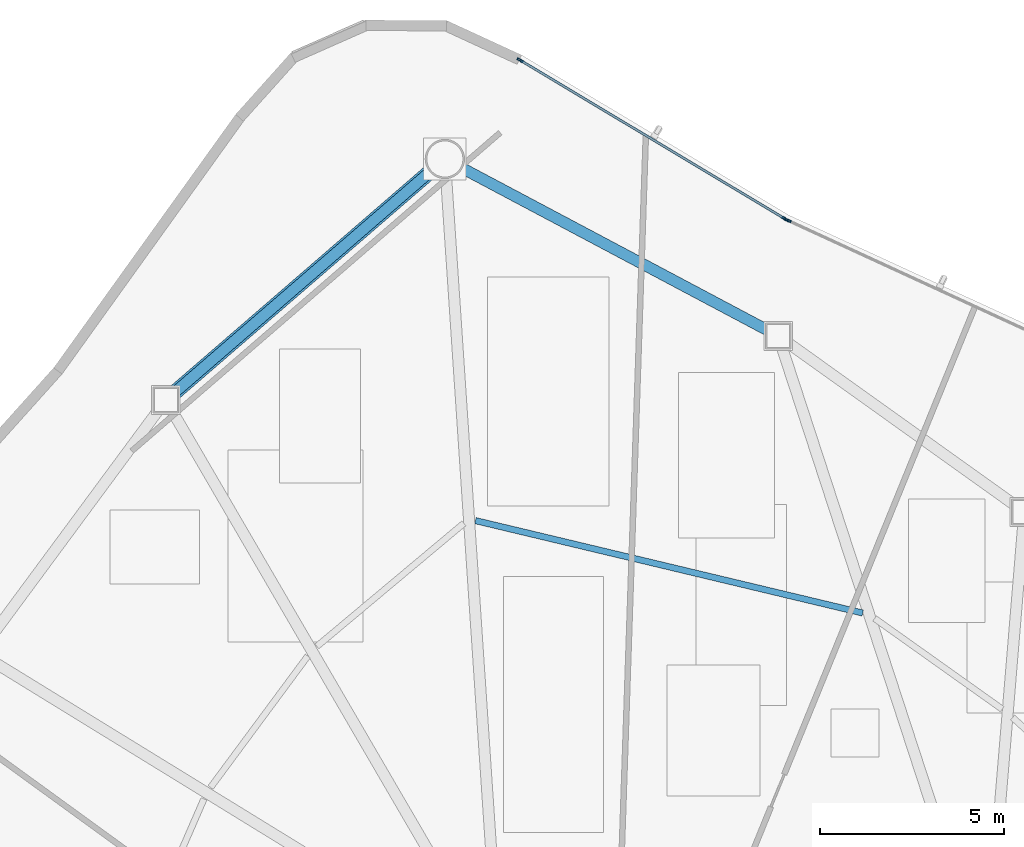
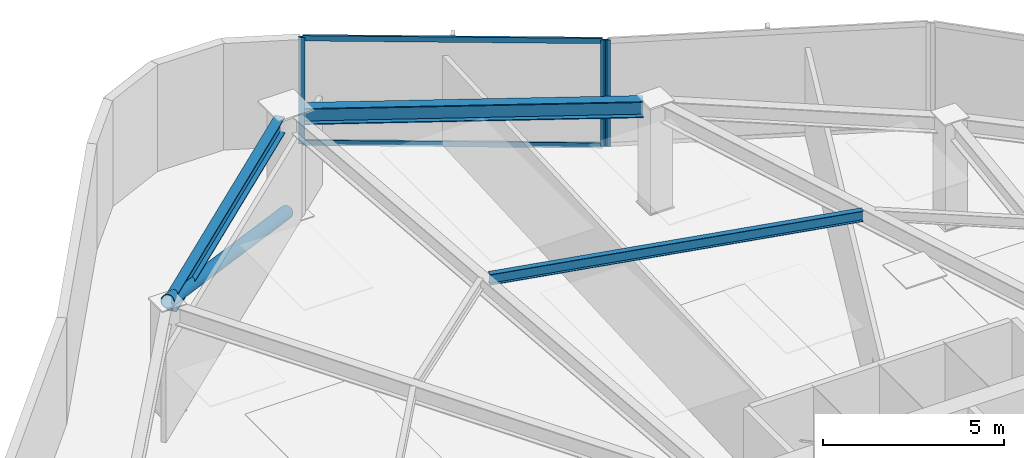
# One storey, part 8 of 17: 6 members, 3 beams, 2 elements without a shape of their own.
"""IFC4 building model written with IfcOpenShell, lengths in metres."""

from ifc_helpers import new_model, si_unit, direction, frame, origin, origin_2d, place, context, subcontext, project, spatial, hollow_rectangle, hollow_circle, i_section, extrude, source, transform, mapped, material, layer, layer_set, material_profile, profile_set, type_object, type_shapes, element, aggregate, save


model = new_model("IFC4")

# Units and contexts
model_context = context("Model", 3, precision=1e-05, world=origin(), true_north=direction((0.0, 1.0)))
body_context = subcontext(model_context, "Body", "Model", "MODEL_VIEW")
ifc_project = project(units=[si_unit("LENGTHUNIT", "METRE"), si_unit("AREAUNIT", "SQUARE_METRE"), si_unit("VOLUMEUNIT", "CUBIC_METRE"), si_unit("PLANEANGLEUNIT", "RADIAN"), si_unit("MASSUNIT", "GRAM", prefix="KILO")], contexts=[model_context])

# Site, building, storey
site_placement = place(None, origin())
site = spatial("IfcSite", under=ifc_project, at=site_placement, CompositionType="ELEMENT")
building_placement = place(site_placement, origin())
building = spatial("IfcBuilding", under=site, at=building_placement, Name="Tavelor Broadcast Tower", CompositionType="ELEMENT")
storey_placement = place(building_placement, frame((0.0, 0.0, 74.39990234375)))
storey = spatial("IfcBuildingStorey", under=building, at=storey_placement, Name="L17", CompositionType="ELEMENT", Elevation=74.39990234375)

# Beams
ifc_material_1 = material(Name="Steel S355", Category="steel")
ifc_material_profile_1 = material_profile(ifc_material_1, i_section(OverallWidth=0.169921875, OverallDepth=0.360107421875, WebThickness=0.008056640625, FlangeThickness=0.0126953125, at=origin_2d()), Name="IPE 360")
ifc_profile_set_1 = profile_set([ifc_material_profile_1], Name="Steel S355")
beam_type_1 = type_object("IfcBeamType", Name="Composite Floor Joist T2 IPE 360", PredefinedType="JOIST", material=ifc_profile_set_1)
beam_1_placement = place(storey_placement, frame((53.252685546875, 60.954345703125, 3.420166015625), z_axis=(-0.97267356202, 0.232176962139, 0.0), x_axis=(-0.232176962139, -0.97267356202, 0.0)))
element("IfcBeam", 1, at=beam_1_placement, inside=storey, type_object=beam_type_1, Name="L17 Secondary Composite Floor Joist 18", PredefinedType="JOIST", context=body_context, shape_type="SweptSolid", body=[
    extrude(i_section(OverallWidth=0.169921875, OverallDepth=0.360107421875, WebThickness=0.008056640625, FlangeThickness=0.0126953125, at=origin_2d()), origin(), (0.0, 0.0, 1.0), 10.794921875),
])
ifc_material_profile_2 = material_profile(ifc_material_1, i_section(OverallWidth=0.300048828125, OverallDepth=0.550048828125, WebThickness=0.014892578125, FlangeThickness=0.029052734375, at=origin_2d()), Name="HEB 550")
ifc_profile_set_2 = profile_set([ifc_material_profile_2], Name="Steel S355")
beam_type_2 = type_object("IfcBeamType", Name="Perimeter Spandrel Beam T2 HEB 550", PredefinedType="SPANDREL", material=ifc_profile_set_2)
beam_2_placement = place(storey_placement, frame((41.535400390625, 72.931396484375, 3.3251953125), z_axis=(-0.756652037371, -0.653817783746, 0.0), x_axis=(0.653817783746, -0.756652037371, 0.0)))
element("IfcBeam", 2, at=beam_2_placement, inside=storey, type_object=beam_type_2, Name="L17 Framed-Tube Ring Spandrel 01", PredefinedType="SPANDREL", context=body_context, shape_type="SweptSolid", body=[
    extrude(i_section(OverallWidth=0.300048828125, OverallDepth=0.550048828125, WebThickness=0.014892578125, FlangeThickness=0.029052734375, at=origin_2d()), origin(), (0.0, 0.0, 1.0), 9.15234375),
])
beam_3_placement = place(storey_placement, frame((50.6650390625, 68.626220703125, 3.3251953125), z_axis=(-0.883288784051, 0.468829312192, 0.0), x_axis=(-0.468829312192, -0.883288784051, 0.0)))
element("IfcBeam", 3, at=beam_3_placement, inside=storey, type_object=beam_type_2, Name="L17 Framed-Tube Ring Spandrel 18", PredefinedType="SPANDREL", context=body_context, shape_type="SweptSolid", body=[
    extrude(i_section(OverallWidth=0.300048828125, OverallDepth=0.550048828125, WebThickness=0.014892578125, FlangeThickness=0.029052734375, at=origin_2d()), origin(), (0.0, 0.0, 1.0), 9.384765625),
])

# Member
ifc_material_profile_3 = material_profile(ifc_material_1, hollow_circle(Radius=0.203125, WallThickness=0.02001953125, at=origin_2d()), Name="CHS 406.4x20")
ifc_profile_set_3 = profile_set([ifc_material_profile_3], Name="Steel S355")
member_type_1 = type_object("IfcMemberType", Name="Perimeter Tube Brace T2 CHS 406.4x20", PredefinedType="BRACE", material=ifc_profile_set_3)
member_1_placement = place(storey_placement, frame((41.923095703125, 73.266357421875, 0.0), z_axis=(-0.711923189295, -0.615174771108, 0.338711342497), x_axis=(0.653821967179, -0.756648422475, 0.0)))
element("IfcMember", 4, at=member_1_placement, inside=storey, type_object=member_type_1, Name="L17 Corner Tube Diagonal Brace 1", PredefinedType="BRACE", context=body_context, shape_type="SweptSolid", body=[
    extrude(hollow_circle(Radius=0.203125, WallThickness=0.02001953125, at=origin_2d()), origin(), (0.0, 0.0, 1.0), 10.62890625),
])

# Curtain wall, member
ifc_material_2 = material(Name="Architectural Anodized Aluminium", Category="aluminium")
ifc_layer = layer(ifc_material_2, 0.179931640625)
ifc_layer_set = layer_set([ifc_layer], Name="Architectural Anodized Aluminium")
curtain_wall_type = type_object("IfcCurtainWallType", Name="Tower Low-Zone Unitised Curtain Wall CW02", PredefinedType="NOTDEFINED", material=ifc_layer_set)
curtain_wall_1_placement = place(storey_placement, origin())
curtain_wall_1 = element("IfcCurtainWall", 5, at=curtain_wall_1_placement, inside=storey, type_object=curtain_wall_type, Name="L17 Curtain Wall CW02 Run 167", PredefinedType="NOTDEFINED")
ifc_material_profile_4 = material_profile(ifc_material_2, hollow_rectangle(XDim=0.06494140625, YDim=0.179931640625, WallThickness=0.02197265625, at=origin_2d()), Name="RHS 65x180x22")
ifc_profile_set_4 = profile_set([ifc_material_profile_4], Name="Architectural Anodized Aluminium")
member_type_2 = type_object("IfcMemberType", Name="CW02 Extruded Aluminium Mullion 65x180", PredefinedType="MULLION", material=ifc_profile_set_4)
shared_shape_1 = source(origin(), body_context, "Body", "SweptSolid", [
    extrude(hollow_rectangle(XDim=0.06494140625, YDim=0.179931640625, WallThickness=0.02197265625, at=origin_2d()), origin(), (0.0, 0.0, 1.0), 3.60009765625),
])
type_shapes(member_type_2, [shared_shape_1])
member_2_placement = place(storey_placement, frame((51.22705078125, 71.6005859375, 0.0), z_axis=(0.0, 0.0, 1.0), x_axis=(-0.417985031551, -0.908453913745, 0.0)))
member_2 = element("IfcMember", 6, at=member_2_placement, type_object=member_type_2, Name="CW02 mullion 2", PredefinedType="MULLION", context=body_context, shape_type="MappedRepresentation", body=[
    mapped(shared_shape_1, transform((0.0, 0.0, 0.0), scale=1.0)),
])
aggregate(curtain_wall_1, [member_2])

# Curtain wall, members
curtain_wall_2_placement = place(storey_placement, origin())
curtain_wall_2 = element("IfcCurtainWall", 7, at=curtain_wall_2_placement, inside=storey, type_object=curtain_wall_type, Name="L17 Curtain Wall CW02 Run 168", PredefinedType="NOTDEFINED")
member_3_placement = place(storey_placement, frame((51.143310546875, 71.644775390625, 0.0), z_axis=(0.0, 0.0, 1.0), x_axis=(-0.513890561976, -0.857855751459, 0.0)))
member_3 = element("IfcMember", 8, at=member_3_placement, type_object=member_type_2, Name="CW02 mullion 1", PredefinedType="MULLION", context=body_context, shape_type="MappedRepresentation", body=[
    mapped(shared_shape_1, transform((0.0, 0.0, 0.0), scale=1.0)),
])
member_4_placement = place(storey_placement, frame((43.964111328125, 75.9453125, 0.0), z_axis=(0.0, 0.0, 1.0), x_axis=(-0.513890561976, -0.857855751459, 0.0)))
member_4 = element("IfcMember", 9, at=member_4_placement, type_object=member_type_2, Name="CW02 mullion 2", PredefinedType="MULLION", context=body_context, shape_type="MappedRepresentation", body=[
    mapped(shared_shape_1, transform((0.0, 0.0, 0.0), scale=1.0)),
])
ifc_material_profile_5 = material_profile(ifc_material_2, hollow_rectangle(XDim=0.06494140625, YDim=0.179931640625, WallThickness=0.02197265625, at=origin_2d()), Name="RHS 65x180x22")
ifc_profile_set_5 = profile_set([ifc_material_profile_5], Name="Architectural Anodized Aluminium")
member_type_3 = type_object("IfcMemberType", Name="CW02 Extruded Aluminium Transom 65x180", PredefinedType="USERDEFINED", material=ifc_profile_set_5)
shared_shape_2 = source(origin(), body_context, "Body", "SweptSolid", [
    extrude(hollow_rectangle(XDim=0.06494140625, YDim=0.179931640625, WallThickness=0.02197265625, at=origin_2d()), origin(), (0.0, 0.0, 1.0), 8.303466796875),
])
type_shapes(member_type_3, [shared_shape_2])
member_5_placement = place(storey_placement, frame((51.115234375, 71.66162109375, 0.03271484375), z_axis=(-0.857858502901, 0.513885968869, 0.0), x_axis=(-0.513885968869, -0.857858502901, 0.0)))
member_5 = element("IfcMember", 10, at=member_5_placement, type_object=member_type_3, Name="CW02 transom 1.1", ObjectType="TRANSOM", PredefinedType="USERDEFINED", context=body_context, shape_type="MappedRepresentation", body=[
    mapped(shared_shape_2, transform((0.0, 0.0, 0.0), scale=1.0)),
])
member_6_placement = place(storey_placement, frame((51.115234375, 71.66162109375, 3.567626953125), z_axis=(-0.857858502901, 0.513885968869, 0.0), x_axis=(-0.513885968869, -0.857858502901, 0.0)))
member_6 = element("IfcMember", 11, at=member_6_placement, type_object=member_type_3, Name="CW02 transom 1.2", ObjectType="TRANSOM", PredefinedType="USERDEFINED", context=body_context, shape_type="MappedRepresentation", body=[
    mapped(shared_shape_2, transform((0.0, 0.0, 0.0), scale=1.0)),
])
aggregate(curtain_wall_2, [member_3, member_4, member_5, member_6])

save(model, "model.ifc")
